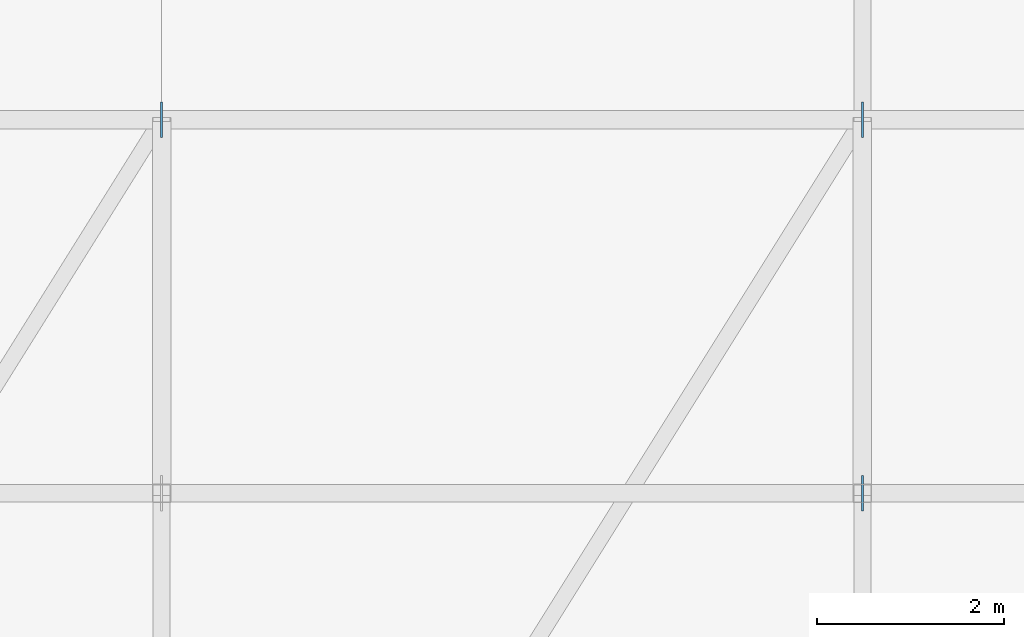
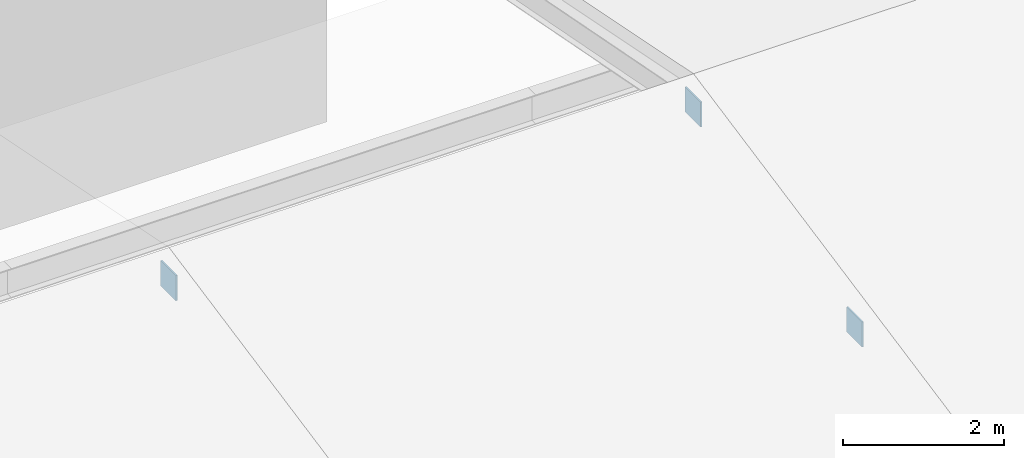
# One storey, part 72 of 93: 3 plates.
"""IFC4 building model written with IfcOpenShell, lengths in metres."""

from ifc_helpers import new_model, si_unit, direction, frame, origin, origin_2d, place, context, subcontext, project, spatial, rectangle, extrude, material, layer, layer_set, type_object, element, save


model = new_model("IFC4")

# Units and contexts
model_context = context("Model", 3, precision=1e-05, world=origin(), true_north=direction((0.0, 1.0)))
body_context = subcontext(model_context, "Body", "Model", "MODEL_VIEW")
ifc_project = project(units=[si_unit("LENGTHUNIT", "METRE"), si_unit("AREAUNIT", "SQUARE_METRE"), si_unit("VOLUMEUNIT", "CUBIC_METRE"), si_unit("PLANEANGLEUNIT", "RADIAN"), si_unit("MASSUNIT", "GRAM", prefix="KILO")], contexts=[model_context])

# Site, building, storey
site_placement = place(None, origin())
site = spatial("IfcSite", under=ifc_project, at=site_placement, CompositionType="ELEMENT")
building_placement = place(site_placement, origin())
building = spatial("IfcBuilding", under=site, at=building_placement, Name="Vourika Railside Aquatics Centre", CompositionType="ELEMENT")
storey_placement = place(building_placement, frame((0.0, 0.0, 21.89990234375)))
storey = spatial("IfcBuildingStorey", under=building, at=storey_placement, Name="Roof", CompositionType="ELEMENT", Elevation=21.89990234375)

# Plates
ifc_material = material(Name="Steel S355J2", Category="steel")
ifc_layer = layer(ifc_material, 0.3798828125, Name="PLT-ECAP-22x380x380")
ifc_layer_set = layer_set([ifc_layer], Name="Steel S355J2")
plate_type = type_object("IfcPlateType", Name="PLT-ECAP-22x380x380", PredefinedType="USERDEFINED", material=ifc_layer_set)
for number, where, z_axis, x_axis, name in (
    (1, (51.0, 104.0, 1.76025390625), (0.0, 0.0, 1.0), (1.0, 0.0, 0.0), "Steel Brace End Knife Plate BP-0371"),
    (2, (58.5, 104.0, 1.76025390625), (0.0, 0.0, 1.0), (1.0, 0.0, 0.0), "Steel Brace End Knife Plate BP-0374"),
    (3, (58.5, 100.0, 0.860107421875), (0.0, 0.0, 1.0), (1.0, 0.0, 0.0), "Steel Brace End Knife Plate BP-0378"),
):
    element("IfcPlate", number, at=place(storey_placement, frame(where, z_axis=z_axis, x_axis=x_axis)), inside=storey, type_object=plate_type, Name=name, ObjectType="BASE PLATE", PredefinedType="USERDEFINED", context=body_context, shape_type="SweptSolid", body=[
        extrude(rectangle(XDim=0.02197265625, YDim=0.3798828125, at=origin_2d()), origin(), (0.0, 0.0, 1.0), 0.3798828125),
    ])

save(model, "model.ifc")
